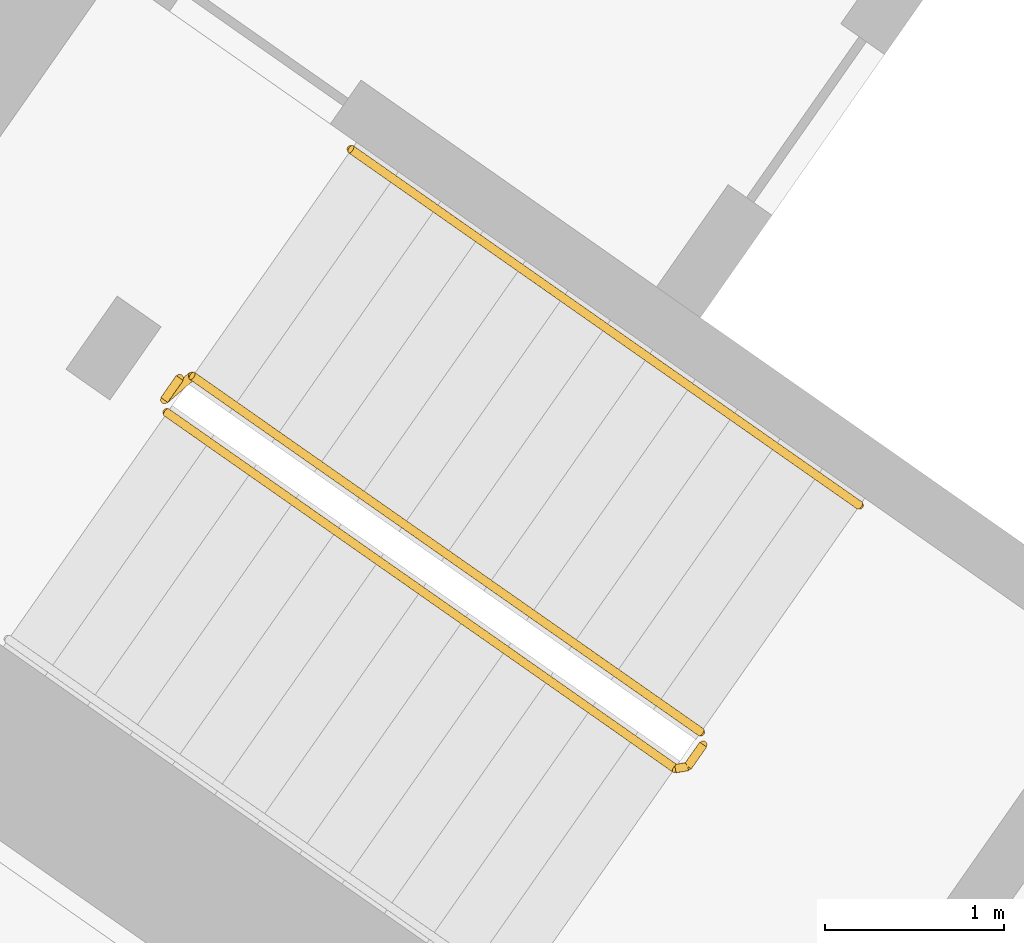
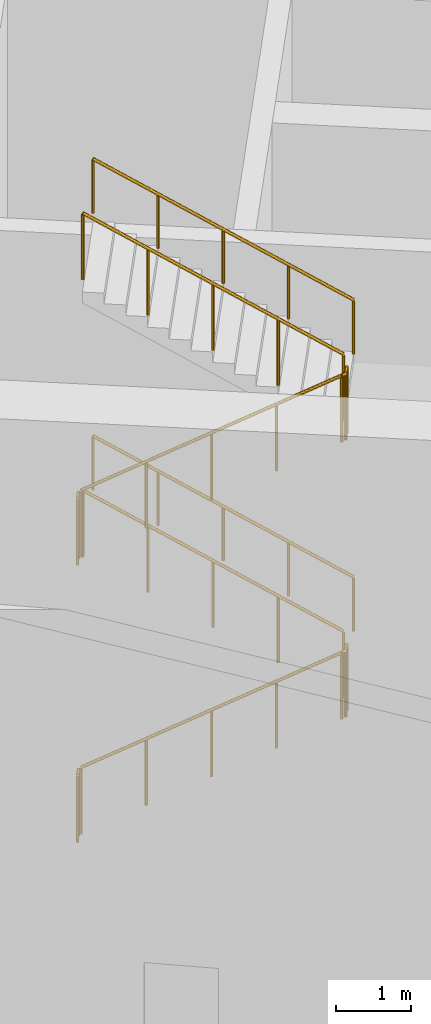
# One storey, part 14 of 19: 7 railings.
"""IFC4 building model written with IfcOpenShell, lengths in metres."""

from ifc_helpers import new_model, si_unit, direction, frame, origin, origin_2d, place, context, subcontext, project, spatial, circle, extrude, material, type_object, element, save


model = new_model("IFC4")

# Units and contexts
model_context = context("Model", 3, precision=1e-05, world=origin(), true_north=direction((0.0, 1.0)))
body_context = subcontext(model_context, "Body", "Model", "MODEL_VIEW")
ifc_project = project(units=[si_unit("LENGTHUNIT", "METRE"), si_unit("AREAUNIT", "SQUARE_METRE"), si_unit("VOLUMEUNIT", "CUBIC_METRE"), si_unit("PLANEANGLEUNIT", "RADIAN"), si_unit("MASSUNIT", "GRAM", prefix="KILO")], contexts=[model_context])

# Site, building, storey
site_placement = place(None, origin())
site = spatial("IfcSite", under=ifc_project, at=site_placement, CompositionType="ELEMENT")
building_placement = place(site_placement, origin())
building = spatial("IfcBuilding", under=site, at=building_placement, Name="Qamariyya Broadcast Tower", CompositionType="ELEMENT")
storey_placement = place(building_placement, frame((0.0, 0.0, 9.0)))
storey = spatial("IfcBuildingStorey", under=building, at=storey_placement, Name="L01", CompositionType="ELEMENT", Elevation=9.0)

# Railings
ifc_material_1 = material(Name="Painted steel", Category="steel")
railing_type_1 = type_object("IfcRailingType", Name="Stair guard", PredefinedType="GUARDRAIL", material=ifc_material_1)
railing_1_placement = place(storey_placement, frame((-46.624267578125, -56.34765625, 0.173095703125)))
element("IfcRailing", 1, at=railing_1_placement, inside=storey, type_object=railing_type_1, Name="L01 ST-W1 stair guard 1", PredefinedType="GUARDRAIL", context=body_context, shape_type="SweptSolid", body=[
    extrude(circle(Radius=0.02392578125, at=origin_2d()), frame((0.0, 0.0, 1.076171875), z_axis=(0.703392637411, -0.492543525477, 0.512483827206), x_axis=(0.573594173421, 0.819139624372, 0.0)), (0.0, 0.0, 1.0), 4.052734375),
    extrude(circle(Radius=0.02392578125, at=origin_2d()), frame((2.8505859375, -1.99609375, 3.15283203125), z_axis=(0.984957024646, 0.172799478008, 0.0), x_axis=(-0.172799478008, 0.984957024646, 0.0)), (0.0, 0.0, 1.0), 0.070556640625),
    extrude(circle(Radius=0.02392578125, at=origin_2d()), frame((2.920166015625, -1.98388671875, 3.15283203125), z_axis=(0.574444878118, 0.818543268254, 0.0), x_axis=(-0.818543268254, 0.574444878118, 0.0)), (0.0, 0.0, 1.0), 0.150146484375),
    extrude(circle(Radius=0.02099609375, at=origin_2d()), origin(), (0.0, 0.0, 1.0), 1.052001953125),
    extrude(circle(Radius=0.02099609375, at=origin_2d()), frame((0.712646484375, -0.4990234375, 0.519287109375)), (0.0, 0.0, 1.0), 1.052001953125),
    extrude(circle(Radius=0.02099609375, at=origin_2d()), frame((1.42529296875, -0.998046875, 1.03857421875)), (0.0, 0.0, 1.0), 1.052001953125),
    extrude(circle(Radius=0.02099609375, at=origin_2d()), frame((2.137939453125, -1.4970703125, 1.5576171875)), (0.0, 0.0, 1.0), 1.052001953125),
    extrude(circle(Radius=0.02099609375, at=origin_2d()), frame((2.8505859375, -1.99609375, 2.076904296875)), (0.0, 0.0, 1.0), 1.052001953125),
    extrude(circle(Radius=0.02099609375, at=origin_2d()), frame((2.920166015625, -1.98388671875, 2.076904296875)), (0.0, 0.0, 1.0), 1.052001953125),
    extrude(circle(Radius=0.02099609375, at=origin_2d()), frame((3.00634765625, -1.861083984375, 2.076904296875)), (0.0, 0.0, 1.0), 1.052001953125),
])
railing_2_placement = place(storey_placement, frame((-43.63037109375, -58.138916015625, 2.423095703125)))
element("IfcRailing", 2, at=railing_2_placement, inside=storey, type_object=railing_type_1, Name="L01 ST-W1 stair guard 2", PredefinedType="GUARDRAIL", context=body_context, shape_type="SweptSolid", body=[
    extrude(circle(Radius=0.02392578125, at=origin_2d()), frame((0.0, 0.0, 1.076171875), z_axis=(-0.703413508203, 0.492497895646, 0.512499033426), x_axis=(-0.57354709673, -0.81917258733, 0.0)), (0.0, 0.0, 1.0), 4.052490234375),
    extrude(circle(Radius=0.02392578125, at=origin_2d()), frame((-2.8505859375, 1.995849609375, 3.15283203125), z_axis=(-0.755650002112, -0.65497562879, 0.0), x_axis=(0.65497562879, -0.755650002112, 0.0)), (0.0, 0.0, 1.0), 0.2060546875),
    extrude(circle(Radius=0.02392578125, at=origin_2d()), frame((-3.00634765625, 1.86083984375, 3.15283203125), z_axis=(0.574444878118, 0.818543268254, 0.0), x_axis=(-0.818543268254, 0.574444878118, 0.0)), (0.0, 0.0, 1.0), 0.150146484375),
    extrude(circle(Radius=0.02099609375, at=origin_2d()), origin(), (0.0, 0.0, 1.0), 1.052001953125),
    extrude(circle(Radius=0.02099609375, at=origin_2d()), frame((-0.712646484375, 0.4990234375, 0.519287109375)), (0.0, 0.0, 1.0), 1.052001953125),
    extrude(circle(Radius=0.02099609375, at=origin_2d()), frame((-1.42529296875, 0.998046875, 1.03857421875)), (0.0, 0.0, 1.0), 1.052001953125),
    extrude(circle(Radius=0.02099609375, at=origin_2d()), frame((-2.137939453125, 1.496826171875, 1.5576171875)), (0.0, 0.0, 1.0), 1.052001953125),
    extrude(circle(Radius=0.02099609375, at=origin_2d()), frame((-2.8505859375, 1.995849609375, 2.076904296875)), (0.0, 0.0, 1.0), 1.052001953125),
    extrude(circle(Radius=0.02099609375, at=origin_2d()), frame((-3.00634765625, 1.86083984375, 2.076904296875)), (0.0, 0.0, 1.0), 1.052001953125),
    extrude(circle(Radius=0.02099609375, at=origin_2d()), frame((-2.920166015625, 1.983642578125, 2.076904296875)), (0.0, 0.0, 1.0), 1.052001953125),
])
railing_3_placement = place(storey_placement, frame((-46.624267578125, -56.34765625, 4.673095703125)))
element("IfcRailing", 3, at=railing_3_placement, inside=storey, type_object=railing_type_1, Name="L01 ST-W1 stair guard 3", PredefinedType="GUARDRAIL", context=body_context, shape_type="SweptSolid", body=[
    extrude(circle(Radius=0.02392578125, at=origin_2d()), frame((0.0, 0.0, 1.076171875), z_axis=(0.703392637411, -0.492543525477, 0.512483827206), x_axis=(0.573594173421, 0.819139624372, 0.0)), (0.0, 0.0, 1.0), 4.052734375),
    extrude(circle(Radius=0.02392578125, at=origin_2d()), frame((2.8505859375, -1.99609375, 3.15283203125), z_axis=(0.984957024646, 0.172799478008, 0.0), x_axis=(-0.172799478008, 0.984957024646, 0.0)), (0.0, 0.0, 1.0), 0.070556640625),
    extrude(circle(Radius=0.02392578125, at=origin_2d()), frame((2.920166015625, -1.98388671875, 3.15283203125), z_axis=(0.574444878118, 0.818543268254, 0.0), x_axis=(-0.818543268254, 0.574444878118, 0.0)), (0.0, 0.0, 1.0), 0.150146484375),
    extrude(circle(Radius=0.02099609375, at=origin_2d()), origin(), (0.0, 0.0, 1.0), 1.052001953125),
    extrude(circle(Radius=0.02099609375, at=origin_2d()), frame((0.712646484375, -0.4990234375, 0.519287109375)), (0.0, 0.0, 1.0), 1.052001953125),
    extrude(circle(Radius=0.02099609375, at=origin_2d()), frame((1.42529296875, -0.998046875, 1.03857421875)), (0.0, 0.0, 1.0), 1.052001953125),
    extrude(circle(Radius=0.02099609375, at=origin_2d()), frame((2.137939453125, -1.4970703125, 1.5576171875)), (0.0, 0.0, 1.0), 1.052001953125),
    extrude(circle(Radius=0.02099609375, at=origin_2d()), frame((2.8505859375, -1.99609375, 2.076904296875)), (0.0, 0.0, 1.0), 1.052001953125),
    extrude(circle(Radius=0.02099609375, at=origin_2d()), frame((2.920166015625, -1.98388671875, 2.076904296875)), (0.0, 0.0, 1.0), 1.052001953125),
    extrude(circle(Radius=0.02099609375, at=origin_2d()), frame((3.00634765625, -1.861083984375, 2.076904296875)), (0.0, 0.0, 1.0), 1.052001953125),
])
railing_4_placement = place(storey_placement, frame((-43.63037109375, -58.138916015625, 6.923095703125)))
element("IfcRailing", 4, at=railing_4_placement, inside=storey, type_object=railing_type_1, Name="L01 ST-W1 stair guard 4", PredefinedType="GUARDRAIL", context=body_context, shape_type="SweptSolid", body=[
    extrude(circle(Radius=0.02392578125, at=origin_2d()), frame((0.0, 0.0, 1.076171875), z_axis=(-0.703413508203, 0.492497895646, 0.512499033426), x_axis=(-0.57354709673, -0.81917258733, 0.0)), (0.0, 0.0, 1.0), 4.052490234375),
    extrude(circle(Radius=0.02099609375, at=origin_2d()), origin(), (0.0, 0.0, 1.0), 1.052001953125),
    extrude(circle(Radius=0.02099609375, at=origin_2d()), frame((-0.712646484375, 0.4990234375, 0.519287109375)), (0.0, 0.0, 1.0), 1.052001953125),
    extrude(circle(Radius=0.02099609375, at=origin_2d()), frame((-1.42529296875, 0.998046875, 1.03857421875)), (0.0, 0.0, 1.0), 1.052001953125),
    extrude(circle(Radius=0.02099609375, at=origin_2d()), frame((-2.137939453125, 1.496826171875, 1.5576171875)), (0.0, 0.0, 1.0), 1.052001953125),
    extrude(circle(Radius=0.02099609375, at=origin_2d()), frame((-2.8505859375, 1.995849609375, 2.076904296875)), (0.0, 0.0, 1.0), 1.052001953125),
])
railing_5_placement = place(storey_placement, frame((-46.63671875, -56.278076171875, 0.0)))
element("IfcRailing", 5, at=railing_5_placement, inside=storey, type_object=railing_type_1, Name="L01 ST-W1 stair guard 5", PredefinedType="GUARDRAIL", context=body_context, shape_type="SweptSolid", body=[
    extrude(circle(Radius=0.02392578125, at=origin_2d()), frame((0.0, 0.0, 1.076171875), z_axis=(0.574444878118, 0.818543268254, 0.0), x_axis=(-0.818543268254, 0.574444878118, 0.0)), (0.0, 0.0, 1.0), 0.150146484375),
    extrude(circle(Radius=0.02099609375, at=origin_2d()), origin(), (0.0, 0.0, 1.0), 1.052001953125),
    extrude(circle(Radius=0.02099609375, at=origin_2d()), frame((0.086181640625, 0.122802734375, 0.0)), (0.0, 0.0, 1.0), 1.052001953125),
])
ifc_material_2 = material(Name="Stainless steel", Category="steel")
railing_type_2 = type_object("IfcRailingType", Name="Stair handrail", PredefinedType="HANDRAIL", material=ifc_material_2)
for number, where, name in (
    (6, (-42.7412109375, -56.869384765625, 2.423095703125), "L01 ST-W1 stair handrail 2"),
    (7, (-42.7412109375, -56.869384765625, 6.923095703125), "L01 ST-W1 stair handrail 4"),
):
    element("IfcRailing", number, at=place(storey_placement, frame(where)), inside=storey, type_object=railing_type_2, Name=name, PredefinedType="HANDRAIL", context=body_context, shape_type="SweptSolid", body=[
        extrude(circle(Radius=0.02392578125, at=origin_2d()), frame((0.0, 0.0, 0.8759765625), z_axis=(-0.703392637411, 0.492543525477, 0.512483827206), x_axis=(-0.573594173421, -0.819139624372, 0.0)), (0.0, 0.0, 1.0), 4.052734375),
        extrude(circle(Radius=0.02099609375, at=origin_2d()), origin(), (0.0, 0.0, 1.0), 0.851806640625),
        extrude(circle(Radius=0.02099609375, at=origin_2d()), frame((-0.712646484375, 0.4990234375, 0.519287109375)), (0.0, 0.0, 1.0), 0.851806640625),
        extrude(circle(Radius=0.02099609375, at=origin_2d()), frame((-1.42529296875, 0.998046875, 1.03857421875)), (0.0, 0.0, 1.0), 0.851806640625),
        extrude(circle(Radius=0.02099609375, at=origin_2d()), frame((-2.137939453125, 1.4970703125, 1.5576171875)), (0.0, 0.0, 1.0), 0.851806640625),
        extrude(circle(Radius=0.02099609375, at=origin_2d()), frame((-2.8505859375, 1.99609375, 2.076904296875)), (0.0, 0.0, 1.0), 0.851806640625),
    ])

save(model, "model.ifc")
